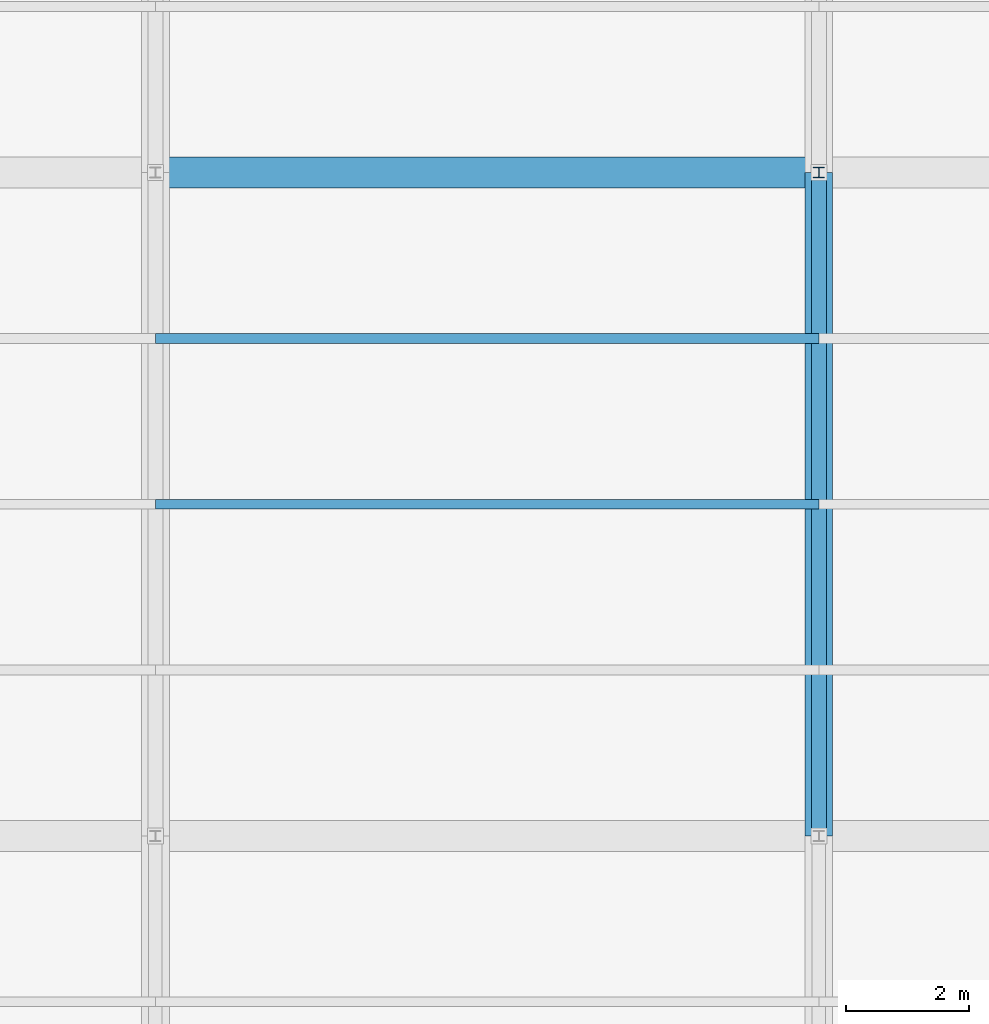
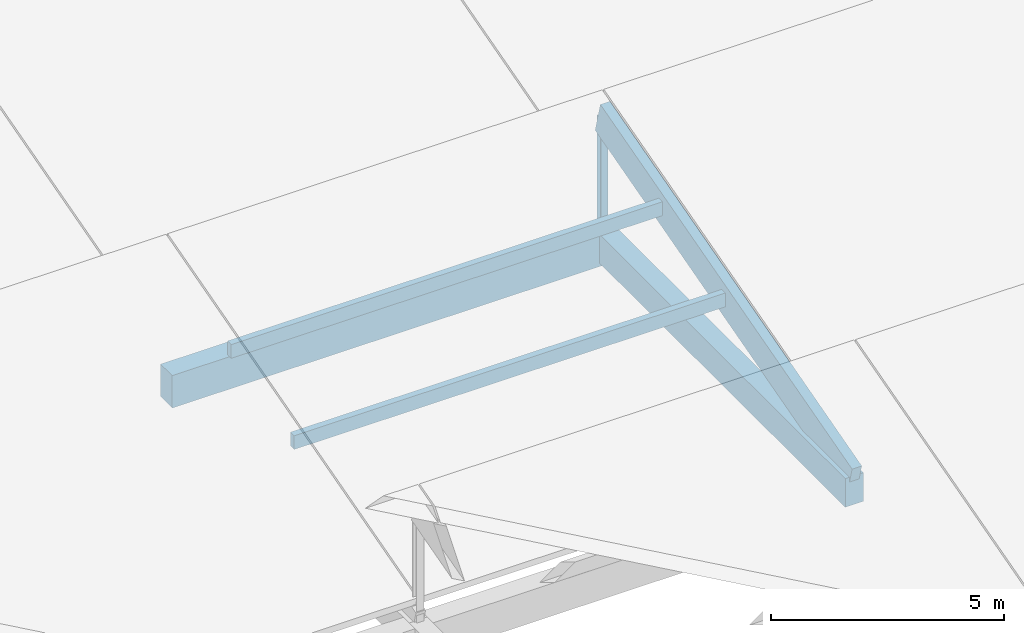
# One storey, part 14 of 112: 4 members, 2 beams.
"""IFC4 building model written with IfcOpenShell, lengths in metres."""

from ifc_helpers import new_model, si_unit, direction, frame, origin, origin_2d, place, context, subcontext, project, spatial, rectangle, i_section, extrude, material, material_profile, profile_set, type_object, element, save


model = new_model("IFC4")

# Units and contexts
model_context = context("Model", 3, precision=1e-05, world=origin(), true_north=direction((0.0, 1.0)))
body_context = subcontext(model_context, "Body", "Model", "MODEL_VIEW")
ifc_project = project(units=[si_unit("LENGTHUNIT", "METRE"), si_unit("AREAUNIT", "SQUARE_METRE"), si_unit("VOLUMEUNIT", "CUBIC_METRE"), si_unit("PLANEANGLEUNIT", "RADIAN"), si_unit("MASSUNIT", "GRAM", prefix="KILO")], contexts=[model_context])

# Site, building, storey
site_placement = place(None, origin())
site = spatial("IfcSite", under=ifc_project, at=site_placement, CompositionType="ELEMENT")
building_placement = place(site_placement, origin())
building = spatial("IfcBuilding", under=site, at=building_placement, Name="Zwinboog Wholesale Market", CompositionType="ELEMENT")
storey_placement = place(building_placement, frame((0.0, 0.0, 19.080078125)))
storey = spatial("IfcBuildingStorey", under=building, at=storey_placement, Name="Roof", CompositionType="ELEMENT", Elevation=19.080078125)

# Beams
ifc_material_1 = material(Name="Precast concrete C45/55", Category="concrete")
ifc_material_profile_1 = material_profile(ifc_material_1, rectangle(XDim=0.5, YDim=0.85009765625, at=origin_2d()), Name="PC 500x850")
ifc_profile_set_1 = profile_set([ifc_material_profile_1], Name="Precast concrete C45/55")
beam_type_1 = type_object("IfcBeamType", Name="BT-03", PredefinedType="BEAM", material=ifc_profile_set_1)
beam_1_placement = place(storey_placement, frame((10.800048828125, 54.0, -9.425048828125), z_axis=(1.0, 0.0, 0.0), x_axis=(0.0, 1.0, 0.0)))
element("IfcBeam", 1, at=beam_1_placement, inside=storey, type_object=beam_type_1, Name="BG-03 (BMG-Roof-0108-0540-1168)", PredefinedType="BEAM", context=body_context, shape_type="SweptSolid", body=[
    extrude(rectangle(XDim=0.5, YDim=0.85009765625, at=origin_2d()), origin(), (0.0, 0.0, 1.0), 10.800048828125),
])
ifc_material_profile_2 = material_profile(ifc_material_1, rectangle(XDim=0.449951171875, YDim=0.75, at=origin_2d()), Name="PC 450x750")
ifc_profile_set_2 = profile_set([ifc_material_profile_2], Name="Precast concrete C45/55")
beam_type_2 = type_object("IfcBeamType", Name="BT-04", PredefinedType="BEAM", material=ifc_profile_set_2)
beam_2_placement = place(storey_placement, frame((21.60009765625, 43.199951171875, -9.375), z_axis=(0.0, 1.0, 0.0), x_axis=(-1.0, 0.0, 0.0)))
element("IfcBeam", 2, at=beam_2_placement, inside=storey, type_object=beam_type_2, Name="BG-04 (BMG-Roof-0216-0432-1225)", PredefinedType="BEAM", context=body_context, shape_type="SweptSolid", body=[
    extrude(rectangle(XDim=0.449951171875, YDim=0.75, at=origin_2d()), origin(), (0.0, 0.0, 1.0), 10.800048828125),
])

# Members
ifc_material_2 = material(Name="Steel S355", Category="steel")
ifc_material_profile_3 = material_profile(ifc_material_2, i_section(OverallWidth=0.179931640625, OverallDepth=0.1708984375, WebThickness=0.006103515625, FlangeThickness=0.009521484375, FilletRadius=0.014892578125, at=origin_2d()), Name="HEA 180")
ifc_profile_set_3 = profile_set([ifc_material_profile_3], Name="Steel S355")
member_type_1 = type_object("IfcMemberType", Name="MT-07", PredefinedType="BRACE", material=ifc_profile_set_3)
member_1_placement = place(storey_placement, frame((21.60009765625, 54.0, -9.2001953125), z_axis=(0.0, 0.0, 1.0), x_axis=(1.0, 0.0, 0.0)))
element("IfcMember", 3, at=member_1_placement, inside=storey, type_object=member_type_1, Name="DB-04 (MEM-Roof-0746)", PredefinedType="BRACE", context=body_context, shape_type="SweptSolid", body=[
    extrude(i_section(OverallWidth=0.179931640625, OverallDepth=0.1708984375, WebThickness=0.006103515625, FlangeThickness=0.009521484375, FilletRadius=0.014892578125, at=origin_2d()), origin(), (0.0, 0.0, 1.0), 3.074462890625),
])
ifc_material_3 = material(Name="Glulam GL28h", Category="wood")
ifc_material_profile_4 = material_profile(ifc_material_3, rectangle(XDim=0.239990234375, YDim=0.840087890625, at=origin_2d()), Name="GL28h 240x840")
ifc_profile_set_4 = profile_set([ifc_material_profile_4], Name="Glulam GL28h")
member_type_2 = type_object("IfcMemberType", Name="MT-09", PredefinedType="RAFTER", material=ifc_profile_set_4)
member_2_placement = place(storey_placement, frame((21.60009765625, 43.199951171875, -9.125732421875), z_axis=(0.0, 0.963518221675, 0.26764274042), x_axis=(-1.0, 0.0, 0.0)))
element("IfcMember", 4, at=member_2_placement, inside=storey, type_object=member_type_2, Name="GR-01 (MEM-Roof-0747)", PredefinedType="RAFTER", context=body_context, shape_type="SweptSolid", body=[
    extrude(rectangle(XDim=0.239990234375, YDim=0.840087890625, at=origin_2d()), origin(), (0.0, 0.0, 1.0), 11.208984375),
])
ifc_material_profile_5 = material_profile(ifc_material_3, rectangle(XDim=0.159912109375, YDim=0.360107421875, at=origin_2d()), Name="GL28h 160x360")
ifc_profile_set_5 = profile_set([ifc_material_profile_5], Name="Glulam GL28h")
member_type_3 = type_object("IfcMemberType", Name="MT-12", PredefinedType="PURLIN", material=ifc_profile_set_5)
for number, where, z_axis, x_axis, name in (
    (5, (10.800048828125, 51.300048828125, -6.833251953125), (1.0, 0.0, 0.0), (0.0, 1.0, 0.0), "GP-01 (MEM-Roof-0745)"),
    (6, (10.800048828125, 48.60009765625, -7.583251953125), (1.0, 0.0, 0.0), (0.0, 1.0, 0.0), "GP-01 (MEM-PRL-Roof-0018)"),
):
    element("IfcMember", number, at=place(storey_placement, frame(where, z_axis=z_axis, x_axis=x_axis)), inside=storey, type_object=member_type_3, Name=name, PredefinedType="PURLIN", context=body_context, shape_type="SweptSolid", body=[
        extrude(rectangle(XDim=0.159912109375, YDim=0.360107421875, at=origin_2d()), origin(), (0.0, 0.0, 1.0), 10.800048828125),
    ])

save(model, "model.ifc")
